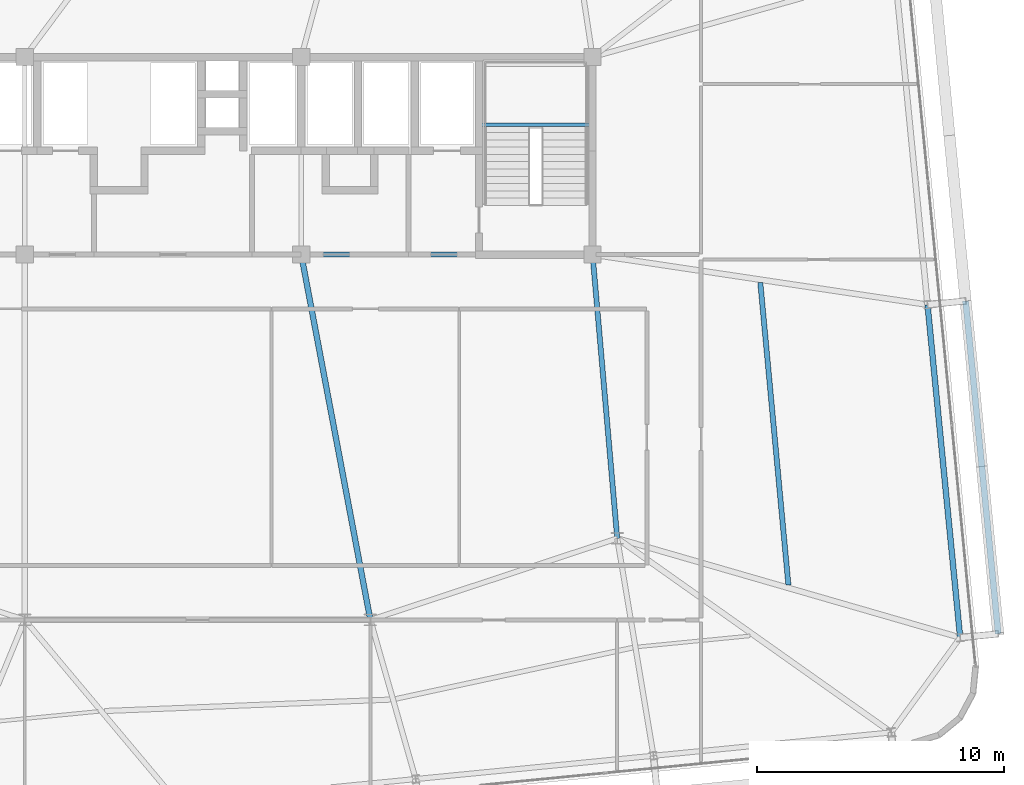
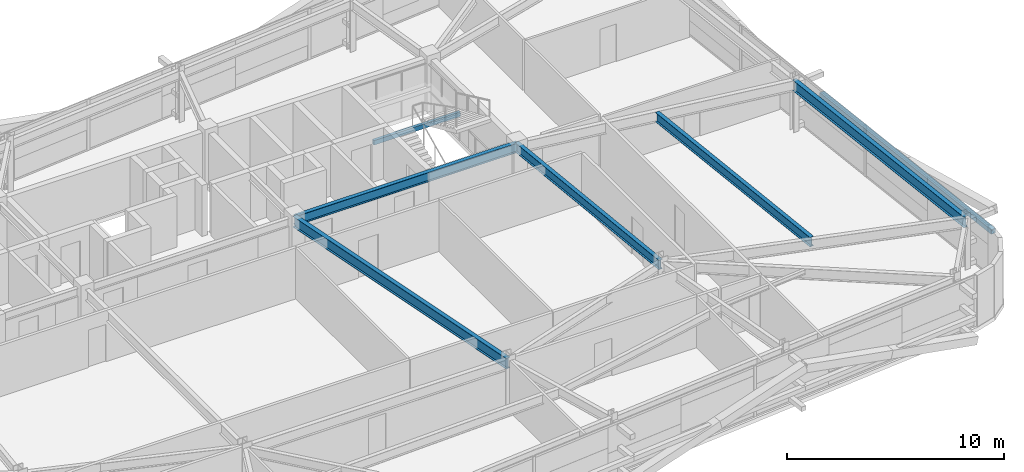
# One storey, part 20 of 47: 6 beams, 1 member.
"""IFC4 building model written with IfcOpenShell, lengths in metres."""

from ifc_helpers import new_model, si_unit, direction, frame, origin, origin_2d, place, context, subcontext, project, spatial, hollow_rectangle, i_section, extrude, source, transform, mapped, material, material_profile, profile_set, type_object, element, save


model = new_model("IFC4")

# Units and contexts
model_context = context("Model", 3, precision=1e-05, world=origin(), true_north=direction((0.0, 1.0)))
body_context = subcontext(model_context, "Body", "Model", "MODEL_VIEW")
ifc_project = project(units=[si_unit("LENGTHUNIT", "METRE"), si_unit("AREAUNIT", "SQUARE_METRE"), si_unit("VOLUMEUNIT", "CUBIC_METRE"), si_unit("PLANEANGLEUNIT", "RADIAN"), si_unit("MASSUNIT", "GRAM", prefix="KILO")], contexts=[model_context])

# Site, building, storey
site_placement = place(None, origin())
site = spatial("IfcSite", under=ifc_project, at=site_placement, CompositionType="ELEMENT")
building_placement = place(site_placement, origin())
building = spatial("IfcBuilding", under=site, at=building_placement, Name="Taldren Reach Tower", CompositionType="ELEMENT")
storey_placement = place(building_placement, frame((0.0, 0.0, 109.199951171875)))
storey = spatial("IfcBuildingStorey", under=building, at=storey_placement, Name="L33", CompositionType="ELEMENT", Elevation=109.199951171875)

# Beams
ifc_material_1 = material(Name="Steel Gr 350 (350PLUS)", Category="steel")
ifc_material_profile_1 = material_profile(ifc_material_1, i_section(OverallWidth=0.208984375, OverallDepth=0.532958984375, WebThickness=0.01025390625, FlangeThickness=0.015625, at=origin_2d()), Name="530UB92.4")
ifc_profile_set_1 = profile_set([ifc_material_profile_1], Name="Steel Gr 350 (350PLUS)")
beam_type_1 = type_object("IfcBeamType", Name="BM-UB530A", PredefinedType="BEAM", material=ifc_profile_set_1)
shared_shape_1 = source(origin(), body_context, "Body", "SweptSolid", [
    extrude(i_section(OverallWidth=0.208984375, OverallDepth=0.532958984375, WebThickness=0.01025390625, FlangeThickness=0.015625, at=origin_2d()), origin(), (0.0, 0.0, 1.0), 11.800048828125),
])
beam_1_placement = place(storey_placement, frame((39.199951171875, 24.0, 2.603515625), z_axis=(1.0, 0.0, 0.0), x_axis=(0.0, 1.0, 0.0)))
element("IfcBeam", 1, at=beam_1_placement, inside=storey, type_object=beam_type_1, Name="Core-spine girder L33-SP03", PredefinedType="BEAM", context=body_context, shape_type="MappedRepresentation", body=[
    mapped(shared_shape_1, transform((0.0, 0.0, 0.0), scale=1.0)),
])
shared_shape_2 = source(origin(), body_context, "Body", "SweptSolid", [
    extrude(i_section(OverallWidth=0.208984375, OverallDepth=0.532958984375, WebThickness=0.01025390625, FlangeThickness=0.015625, at=origin_2d()), origin(), (0.0, 0.0, 1.0), 11.54345703125),
])
beam_2_placement = place(storey_placement, frame((52.0, 12.5, 2.603515625), z_axis=(-0.086629616365, 0.996240588196, 0.0), x_axis=(-0.996240588196, -0.086629616365, 0.0)))
element("IfcBeam", 2, at=beam_2_placement, inside=storey, type_object=beam_type_1, Name="Core-spine girder L33-SP13", PredefinedType="BEAM", context=body_context, shape_type="MappedRepresentation", body=[
    mapped(shared_shape_2, transform((0.0, 0.0, 0.0), scale=1.0)),
])
ifc_material_profile_2 = material_profile(ifc_material_1, i_section(OverallWidth=0.22802734375, OverallDepth=0.60205078125, WebThickness=0.010498046875, FlangeThickness=0.014892578125, at=origin_2d()), Name="610UB101")
ifc_profile_set_2 = profile_set([ifc_material_profile_2], Name="Steel Gr 350 (350PLUS)")
beam_type_2 = type_object("IfcBeamType", Name="BM-UB610B", PredefinedType="BEAM", material=ifc_profile_set_2)
shared_shape_3 = source(origin(), body_context, "Body", "SweptSolid", [
    extrude(i_section(OverallWidth=0.22802734375, OverallDepth=0.60205078125, WebThickness=0.010498046875, FlangeThickness=0.014892578125, at=origin_2d()), origin(), (0.0, 0.0, 1.0), 15.0625),
])
beam_3_placement = place(storey_placement, frame((39.199951171875, 24.0, 2.569091796875), z_axis=(0.185894205668, -0.982569765614, 0.0), x_axis=(0.982569765614, 0.185894205668, 0.0)))
element("IfcBeam", 3, at=beam_3_placement, inside=storey, type_object=beam_type_2, Name="Core-spine girder L33-SP15", PredefinedType="BEAM", context=body_context, shape_type="MappedRepresentation", body=[
    mapped(shared_shape_3, transform((0.0, 0.0, 0.0), scale=1.0)),
])
shared_shape_4 = source(origin(), body_context, "Body", "SweptSolid", [
    extrude(i_section(OverallWidth=0.22802734375, OverallDepth=0.60205078125, WebThickness=0.010498046875, FlangeThickness=0.014892578125, at=origin_2d()), origin(), (0.0, 0.0, 1.0), 13.550048828125),
])
beam_4_placement = place(storey_placement, frame((65.8916015625, 8.483642578125, 2.569091796875), z_axis=(-0.097566175139, 0.995229039703, 0.0), x_axis=(-0.995229039703, -0.097566175139, 0.0)))
element("IfcBeam", 4, at=beam_4_placement, inside=storey, type_object=beam_type_2, Name="Perimeter gable girder B2 E1-E2 L33", PredefinedType="BEAM", context=body_context, shape_type="MappedRepresentation", body=[
    mapped(shared_shape_4, transform((0.0, 0.0, 0.0), scale=1.0)),
])
shared_shape_5 = source(origin(), body_context, "Body", "SweptSolid", [
    extrude(i_section(OverallWidth=0.208984375, OverallDepth=0.532958984375, WebThickness=0.01025390625, FlangeThickness=0.015625, at=origin_2d()), origin(), (0.0, 0.0, 1.0), 12.306396484375),
])
beam_5_placement = place(storey_placement, frame((58.9345703125, 10.61376953125, 2.603515625), z_axis=(-0.092546068089, 0.995708403741, 0.0), x_axis=(-0.995708403741, -0.092546068089, 0.0)))
element("IfcBeam", 5, at=beam_5_placement, inside=storey, type_object=beam_type_1, Name="Secondary floor beam B2 J7 L33", PredefinedType="BEAM", context=body_context, shape_type="MappedRepresentation", body=[
    mapped(shared_shape_5, transform((0.0, 0.0, 0.0), scale=1.0)),
])

# Member
ifc_material_2 = material(Name="Steel Gr 350 (C350L0)", Category="steel")
ifc_material_profile_3 = material_profile(ifc_material_2, hollow_rectangle(XDim=0.25, YDim=0.25, WallThickness=0.010009765625, at=origin_2d()), Name="250x250x10.0SHS")
ifc_profile_set_3 = profile_set([ifc_material_profile_3], Name="Steel Gr 350 (C350L0)")
member_type = type_object("IfcMemberType", Name="MB-POST250", PredefinedType="POST", material=ifc_profile_set_3)
shared_shape_6 = source(origin(), body_context, "Body", "SweptSolid", [
    extrude(hollow_rectangle(XDim=0.25, YDim=0.25, WallThickness=0.010009765625, at=origin_2d()), origin(), (0.0, 0.0, 1.0), 13.550048828125),
])
member_placement = place(storey_placement, frame((67.434326171875, 8.634765625, 1.405029296875), z_axis=(-0.097584021339, 0.995227290009, 0.0), x_axis=(-0.995227290009, -0.097584021339, 0.0)))
element("IfcMember", 6, at=member_placement, inside=storey, type_object=member_type, Name="Exoskeleton mid-height ring chord B2-E1 L33", PredefinedType="POST", context=body_context, shape_type="MappedRepresentation", body=[
    mapped(shared_shape_6, transform((0.0, 0.0, 0.0), scale=1.0)),
])

# Beam
ifc_material_profile_4 = material_profile(ifc_material_2, hollow_rectangle(XDim=0.14990234375, YDim=0.25, WallThickness=0.009033203125, at=origin_2d()), Name="250x150x9.0RHS")
ifc_profile_set_4 = profile_set([ifc_material_profile_4], Name="Steel Gr 350 (C350L0)")
beam_type_3 = type_object("IfcBeamType", Name="LN-RHS250", PredefinedType="LINTEL", material=ifc_profile_set_4)
shared_shape_7 = source(origin(), body_context, "Body", "SweptSolid", [
    extrude(hollow_rectangle(XDim=0.14990234375, YDim=0.25, WallThickness=0.009033203125, at=origin_2d()), origin(), (0.0, 0.0, 1.0), 4.60009765625),
])
beam_6_placement = place(storey_placement, frame((46.39990234375, 29.2548828125, 1.27001953125), z_axis=(1.0, 0.0, 0.0), x_axis=(0.0, 1.0, 0.0)))
element("IfcBeam", 7, at=beam_6_placement, inside=storey, type_object=beam_type_3, Name="Stair half-landing support beam ST2-L33-1", PredefinedType="LINTEL", context=body_context, shape_type="MappedRepresentation", body=[
    mapped(shared_shape_7, transform((0.0, 0.0, 0.0), scale=1.0)),
])

save(model, "model.ifc")
